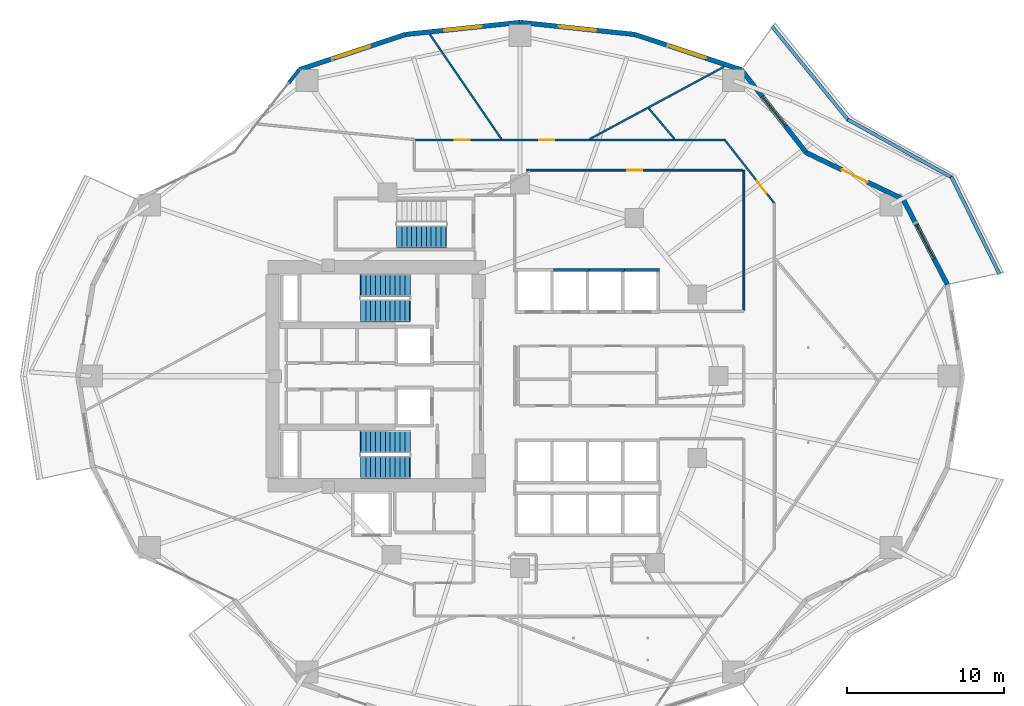
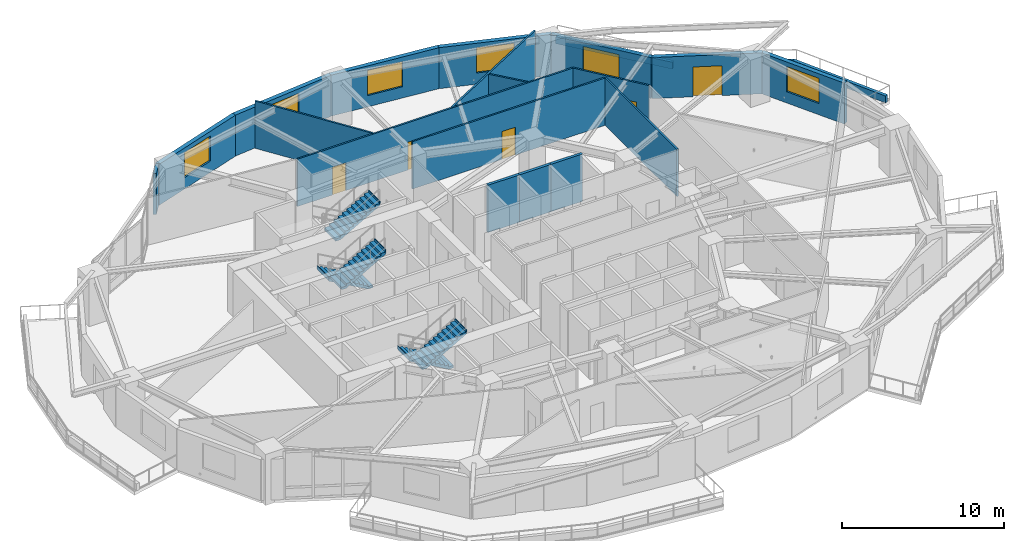
# One storey, part 10 of 19: 21 walls, 6 windows, 5 doors, 5 stair flights, 11 openings, 3 elements without a shape of their own.
"""IFC4 building model written with IfcOpenShell, lengths in metres."""

from ifc_helpers import new_model, si_unit, direction, frame, frame_2d, origin, place, context, subcontext, project, spatial, polyline, rectangle, outline, extrude, material, layer, layer_set, type_object, element, fill, aggregate, save


model = new_model("IFC4")

# Units and contexts
model_context = context("Model", 3, precision=1e-05, world=origin(), true_north=direction((0.0, 1.0)))
body_context = subcontext(model_context, "Body", "Model", "MODEL_VIEW")
ifc_project = project(units=[si_unit("LENGTHUNIT", "METRE"), si_unit("AREAUNIT", "SQUARE_METRE"), si_unit("VOLUMEUNIT", "CUBIC_METRE"), si_unit("PLANEANGLEUNIT", "RADIAN"), si_unit("MASSUNIT", "GRAM", prefix="KILO")], contexts=[model_context])

# Site, building, storey
site_placement = place(None, origin())
site = spatial("IfcSite", under=ifc_project, at=site_placement, CompositionType="ELEMENT")
building_placement = place(site_placement, origin())
building = spatial("IfcBuilding", under=site, at=building_placement, Name="Kolvaren Gate Tower and Convention Centre", CompositionType="ELEMENT")
storey_placement = place(building_placement, frame((0.0, 0.0, 38.050048828125)))
storey = spatial("IfcBuildingStorey", under=building, at=storey_placement, Name="L08", CompositionType="ELEMENT", Elevation=38.050048828125)

# Wall
ifc_material_1 = material(Name="Fire-Rated Acoustic Gypsum Stud Partition", Category="gypsum")
ifc_layer_1 = layer(ifc_material_1, 0.1201171875)
ifc_layer_set_1 = layer_set([ifc_layer_1], Name="Fire-Rated Acoustic Gypsum Stud Partition")
wall_type_1 = type_object("IfcWallType", Name="ARCH-WL-PART-120", PredefinedType="PARTITIONING", material=ifc_layer_set_1)
wall_1_placement = place(storey_placement, frame((44.35009765625, 31.181884765625, 0.0), z_axis=(0.0, 0.0, 1.0), x_axis=(0.0, 1.0, 0.0)))
element("IfcWall", 1, at=wall_1_placement, inside=storey, type_object=wall_type_1, Name="Interior Partition WL-L08-INT-028", PredefinedType="PARTITIONING", context=body_context, shape_type="SweptSolid", body=[
    extrude(rectangle(XDim=8.918212890625, YDim=0.1201171875, at=frame_2d((4.458984375, 0.0))), origin(), (0.0, 0.0, 1.0), 3.570068359375),
])

# Wall, opening, door
wall_2_placement = place(storey_placement, frame((30.556884765625, 40.10009765625, 0.0), z_axis=(0.0, 0.0, 1.0), x_axis=(1.0, 0.0, 0.0)))
wall_2 = element("IfcWall", 2, at=wall_2_placement, inside=storey, type_object=wall_type_1, Name="Interior Partition WL-L08-INT-030", PredefinedType="PARTITIONING", context=body_context, shape_type="SweptSolid", body=[
    extrude(rectangle(XDim=13.731201171875, YDim=0.1201171875, at=frame_2d((6.86572265625, 0.0))), origin(), (0.0, 0.0, 1.0), 3.570068359375),
])
opening_1_placement = place(wall_2_placement, frame((6.390380859375, 0.0, 0.0)))
opening_1 = element("IfcOpeningElement", 3, at=opening_1_placement, cuts=wall_2, Name="Opening DR-01", PredefinedType="OPENING", context=body_context, shape_type="SweptSolid", body=[
    extrude(rectangle(XDim=0.949951171875, YDim=2.10009765625, at=frame_2d((0.47509765625, 1.050048828125))), frame((0.0, 0.070068359375, 0.0), z_axis=(0.0, -1.0, 0.0), x_axis=(1.0, 0.0, 0.0)), (0.0, 0.0, 1.0), 0.14013671875),
])
ifc_material_2 = material(Name="Painted Architectural Steelwork ASTM A500 Grade C 345 MPa", Category="steel")
door_type_1 = type_object("IfcDoorType", Name="ARCH-DR-RISER-950", OperationType="SINGLE_SWING_RIGHT", PredefinedType="DOOR", material=ifc_material_2)
door_1_placement = place(opening_1_placement, origin())
door_1 = element("IfcDoor", 4, at=door_1_placement, inside=storey, type_object=door_type_1, Name="Conference and Training Seminar Room Door", OperationType="SINGLE_SWING_RIGHT", OverallHeight=2.10009765625, OverallWidth=0.949951171875, PredefinedType="DOOR", context=body_context, shape_type="SweptSolid", body=[
    extrude(rectangle(XDim=0.949951171875, YDim=2.10009765625, at=frame_2d((0.47509765625, 1.050048828125))), frame((0.0, 0.02490234375, 0.0), z_axis=(0.0, -1.0, 0.0), x_axis=(1.0, 0.0, 0.0)), (0.0, 0.0, 1.0), 0.050048828125),
])
fill(opening_1, door_1)

# Wall, openings, doors
wall_3_placement = place(storey_placement, frame((23.4619140625, 42.02001953125, 0.0), z_axis=(0.0, 0.0, 1.0), x_axis=(1.0, 0.0, 0.0)))
wall_3 = element("IfcWall", 5, at=wall_3_placement, inside=storey, type_object=wall_type_1, Name="Interior Partition WL-L08-INT-033", PredefinedType="PARTITIONING", context=body_context, shape_type="SweptSolid", body=[
    extrude(rectangle(XDim=19.675048828125, YDim=0.1201171875, at=frame_2d((9.83740234375, 0.0))), origin(), (0.0, 0.0, 1.0), 3.570068359375),
])
opening_2_placement = place(wall_3_placement, frame((7.877197265625, 0.0, 0.0)))
opening_2 = element("IfcOpeningElement", 6, at=opening_2_placement, cuts=wall_3, Name="Opening DR-01", PredefinedType="OPENING", context=body_context, shape_type="SweptSolid", body=[
    extrude(rectangle(XDim=0.949951171875, YDim=2.10009765625, at=frame_2d((0.47509765625, 1.050048828125))), frame((0.0, 0.070068359375, 0.0), z_axis=(0.0, -1.0, 0.0), x_axis=(1.0, 0.0, 0.0)), (0.0, 0.0, 1.0), 0.14013671875),
])
opening_3_placement = place(wall_3_placement, frame((2.511474609375, 0.0, 0.0)))
opening_3 = element("IfcOpeningElement", 7, at=opening_3_placement, cuts=wall_3, Name="Opening DR-01", PredefinedType="OPENING", context=body_context, shape_type="SweptSolid", body=[
    extrude(rectangle(XDim=0.949951171875, YDim=2.10009765625, at=frame_2d((0.47509765625, 1.050048828125))), frame((0.0, 0.070068359375, 0.0), z_axis=(0.0, -1.0, 0.0), x_axis=(1.0, 0.0, 0.0)), (0.0, 0.0, 1.0), 0.14013671875),
])
door_2_placement = place(opening_2_placement, origin())
door_2 = element("IfcDoor", 8, at=door_2_placement, inside=storey, type_object=door_type_1, Name="Project Seminar Room Door", OperationType="SINGLE_SWING_LEFT", OverallHeight=2.10009765625, OverallWidth=0.949951171875, PredefinedType="DOOR", context=body_context, shape_type="SweptSolid", body=[
    extrude(rectangle(XDim=0.949951171875, YDim=2.10009765625, at=frame_2d((0.47509765625, 1.050048828125))), frame((0.0, 0.02490234375, 0.0), z_axis=(0.0, -1.0, 0.0), x_axis=(1.0, 0.0, 0.0)), (0.0, 0.0, 1.0), 0.050048828125),
])
fill(opening_2, door_2)
door_3_placement = place(opening_3_placement, origin())
door_3 = element("IfcDoor", 9, at=door_3_placement, inside=storey, type_object=door_type_1, Name="Executive Seminar Conference Room Door", OperationType="SINGLE_SWING_RIGHT", OverallHeight=2.10009765625, OverallWidth=0.949951171875, PredefinedType="DOOR", context=body_context, shape_type="SweptSolid", body=[
    extrude(rectangle(XDim=0.949951171875, YDim=2.10009765625, at=frame_2d((0.47509765625, 1.050048828125))), frame((0.0, 0.02490234375, 0.0), z_axis=(0.0, -1.0, 0.0), x_axis=(1.0, 0.0, 0.0)), (0.0, 0.0, 1.0), 0.050048828125),
])
fill(opening_3, door_3)

# Wall, opening, door
wall_4_placement = place(storey_placement, frame((43.136962890625, 42.02001953125, 0.0), z_axis=(0.0, 0.0, 1.0), x_axis=(0.616441660183, -0.787400583941, 0.0)))
wall_4 = element("IfcWall", 10, at=wall_4_placement, inside=storey, type_object=wall_type_1, Name="Interior Partition WL-L08-INT-034", PredefinedType="PARTITIONING", context=body_context, shape_type="SweptSolid", body=[
    extrude(rectangle(XDim=5.08251953125, YDim=0.1201171875, at=frame_2d((2.541259765625, 0.0))), origin(), (0.0, 0.0, 1.0), 3.570068359375),
])
opening_4_placement = place(wall_4_placement, frame((3.326171875, 0.0, 0.0)))
opening_4 = element("IfcOpeningElement", 11, at=opening_4_placement, cuts=wall_4, Name="Opening DR-01", PredefinedType="OPENING", context=body_context, shape_type="SweptSolid", body=[
    extrude(rectangle(XDim=0.949951171875, YDim=2.10009765625, at=frame_2d((0.47509765625, 1.050048828125))), frame((0.0, 0.070068359375, 0.0), z_axis=(0.0, -1.0, 0.0), x_axis=(1.0, 0.0, 0.0)), (0.0, 0.0, 1.0), 0.14013671875),
])
door_4_placement = place(opening_4_placement, origin())
door_4 = element("IfcDoor", 12, at=door_4_placement, inside=storey, type_object=door_type_1, Name="Conference and Training Seminar Room Door", OperationType="SINGLE_SWING_LEFT", OverallHeight=2.10009765625, OverallWidth=0.949951171875, PredefinedType="DOOR", context=body_context, shape_type="SweptSolid", body=[
    extrude(rectangle(XDim=0.949951171875, YDim=2.10009765625, at=frame_2d((0.47509765625, 1.050048828125))), frame((0.0, 0.02490234375, 0.0), z_axis=(0.0, -1.0, 0.0), x_axis=(1.0, 0.0, 0.0)), (0.0, 0.0, 1.0), 0.050048828125),
])
fill(opening_4, door_4)

# Walls
wall_5_placement = place(storey_placement, frame((34.556884765625, 42.08203125, 0.0), z_axis=(0.0, 0.0, 1.0), x_axis=(0.880504205361, 0.474038336362, 0.0)))
element("IfcWall", 13, at=wall_5_placement, inside=storey, type_object=wall_type_1, Name="Interior Partition WL-L08-INT-053", PredefinedType="PARTITIONING", context=body_context, shape_type="SweptSolid", body=[
    extrude(rectangle(XDim=9.708251953125, YDim=0.1201171875, at=frame_2d((4.85400390625, 0.0))), origin(), (0.0, 0.0, 1.0), 3.570068359375),
])
wall_6_placement = place(storey_placement, frame((38.30224609375, 44.028076171875, 0.0), z_axis=(0.0, 0.0, 1.0), x_axis=(0.644336623354, -0.764741992965, 0.0)))
element("IfcWall", 14, at=wall_6_placement, inside=storey, type_object=wall_type_1, Name="Interior Partition WL-L08-INT-060", PredefinedType="PARTITIONING", context=body_context, shape_type="SweptSolid", body=[
    extrude(rectangle(XDim=2.544677734375, YDim=0.1201171875, at=frame_2d((1.2724609375, 0.0))), origin(), (0.0, 0.0, 1.0), 3.570068359375),
])
wall_7_placement = place(storey_placement, frame((24.376953125, 48.74169921875, 0.0), z_axis=(0.0, 0.0, 1.0), x_axis=(0.56452118845, -0.825418577323, 0.0)))
element("IfcWall", 15, at=wall_7_placement, inside=storey, type_object=wall_type_1, Name="Interior Partition WL-L08-INT-063", PredefinedType="PARTITIONING", context=body_context, shape_type="SweptSolid", body=[
    extrude(rectangle(XDim=8.068115234375, YDim=0.1201171875, at=frame_2d((4.0341796875, 0.0))), origin(), (0.0, 0.0, 1.0), 3.570068359375),
])
ifc_material_3 = material(Name="Bogota Sabana Bush-Hammered Sandstone Cladding", Category="masonry")
ifc_layer_2 = layer(ifc_material_3, 0.219970703125)
ifc_layer_set_2 = layer_set([ifc_layer_2], Name="Bogota Sabana Bush-Hammered Sandstone Cladding")
wall_type_2 = type_object("IfcWallType", Name="ARCH-WL-PIER-220", PredefinedType="SOLIDWALL", material=ifc_layer_set_2)
wall_8_placement = place(storey_placement, frame((15.39892578125, 45.63818359375, 0.0), z_axis=(0.0, 0.0, 1.0), x_axis=(0.616528421162, 0.787332652632, 0.0)))
element("IfcWall", 16, at=wall_8_placement, inside=storey, type_object=wall_type_2, Name="Tower L08 Unitised Curtain Wall CW-OFF-UNIT Bay 08 Right Column Pier Wrap", PredefinedType="SOLIDWALL", context=body_context, shape_type="SweptSolid", body=[
    extrude(rectangle(XDim=1.076416015625, YDim=0.219970703125, at=frame_2d((0.5380859375, 0.0))), origin(), (0.0, 0.0, 1.0), 3.093017578125),
])
ifc_material_4 = material(Name="Piedmont Cream Honed Limestone Cladding", Category="masonry")
ifc_layer_3 = layer(ifc_material_4, 0.219970703125)
ifc_layer_set_3 = layer_set([ifc_layer_3], Name="Piedmont Cream Honed Limestone Cladding")
wall_type_3 = type_object("IfcWallType", Name="ARCH-WL-PLANTER-220", PredefinedType="PARAPET", material=ifc_layer_set_3)
wall_9_placement = place(storey_placement, frame((57.538818359375, 39.696533203125, 0.0), z_axis=(0.0, 0.0, 1.0), x_axis=(0.443578479433, -0.8962355341, 0.0)))
element("IfcWall", 17, at=wall_9_placement, inside=storey, type_object=wall_type_3, Name="Vertical-Forest Balcony Stone Planter Kerb PK-L08-1.1", PredefinedType="PARAPET", context=body_context, shape_type="SweptSolid", body=[
    extrude(rectangle(XDim=6.9111328125, YDim=0.219970703125, at=frame_2d((3.45556640625, 0.0))), origin(), (0.0, 0.0, 1.0), 0.52001953125),
])
wall_10_placement = place(storey_placement, frame((50.959228515625, 43.322021484375, 0.0), z_axis=(0.0, 0.0, 1.0), x_axis=(0.873500119739, -0.48682393205, 0.0)))
element("IfcWall", 18, at=wall_10_placement, inside=storey, type_object=wall_type_3, Name="Vertical-Forest Balcony Stone Planter Kerb PK-L08-1.2", PredefinedType="PARAPET", context=body_context, shape_type="SweptSolid", body=[
    extrude(rectangle(XDim=7.56201171875, YDim=0.219970703125, at=frame_2d((3.781005859375, 0.0))), origin(), (0.0, 0.0, 1.0), 0.52001953125),
])
wall_11_placement = place(storey_placement, frame((46.1357421875, 49.251220703125, 0.0), z_axis=(0.0, 0.0, 1.0), x_axis=(0.630997450658, -0.775784903993, 0.0)))
element("IfcWall", 19, at=wall_11_placement, inside=storey, type_object=wall_type_3, Name="Vertical-Forest Balcony Stone Planter Kerb PK-L08-1.3", PredefinedType="PARAPET", context=body_context, shape_type="SweptSolid", body=[
    extrude(rectangle(XDim=7.7177734375, YDim=0.219970703125, at=frame_2d((3.85888671875, 0.0))), origin(), (0.0, 0.0, 1.0), 0.52001953125),
])
ifc_material_5 = material(Name="Autoclaved Aerated Masonry Blockwork Class 4 (4.0 MPa)", Category="masonry")
ifc_layer_4 = layer(ifc_material_5, 0.199951171875)
ifc_layer_set_4 = layer_set([ifc_layer_4], Name="Autoclaved Aerated Masonry Blockwork Class 4 (4.0 MPa)")
wall_type_4 = type_object("IfcWallType", Name="ARCH-WL-SHAFT-200", PredefinedType="SOLIDWALL", material=ifc_layer_set_4)
for number, where, z_axis, x_axis, name in (
    (20, (32.25, 33.75, 0.0), (0.0, 0.0, 1.0), (1.0, 0.0, 0.0), "Elevator PL-02 L08 Fire Shaft Wall N"),
    (21, (34.5, 33.75, 0.0), (0.0, 0.0, 1.0), (1.0, 0.0, 0.0), "Elevator PL-03 L08 Fire Shaft Wall N"),
    (22, (36.75, 33.75, 0.0), (0.0, 0.0, 1.0), (1.0, 0.0, 0.0), "Elevator PL-04 L08 Fire Shaft Wall N"),
):
    element("IfcWall", number, at=place(storey_placement, frame(where, z_axis=z_axis, x_axis=x_axis)), inside=storey, type_object=wall_type_4, Name=name, PredefinedType="SOLIDWALL", context=body_context, shape_type="SweptSolid", body=[
        extrude(rectangle(XDim=2.25, YDim=0.199951171875, at=frame_2d((1.125, 0.0))), origin(), (0.0, 0.0, 1.0), 3.570068359375),
    ])

# Wall, opening, window
ifc_layer_5 = layer(ifc_material_4, 0.300048828125)
ifc_layer_set_5 = layer_set([ifc_layer_5], Name="Piedmont Cream Honed Limestone Cladding")
wall_type_5 = type_object("IfcWallType", Name="ARCH-WL-STONE-300", PredefinedType="SOLIDWALL", material=ifc_layer_set_5)
wall_12_placement = place(storey_placement, frame((54.48193359375, 38.25, 0.0), z_axis=(0.0, 0.0, 1.0), x_axis=(0.459809804413, -0.88801742312, 0.0)))
wall_12 = element("IfcWall", 23, at=wall_12_placement, inside=storey, type_object=wall_type_5, Name="Tower L08 Honed Stone Spandrel Wall EW-01", PredefinedType="SOLIDWALL", context=body_context, shape_type="SweptSolid", body=[
    extrude(rectangle(XDim=6.11083984375, YDim=0.300048828125, at=frame_2d((3.055419921875, 0.0))), origin(), (0.0, 0.0, 1.0), 3.093017578125),
])
opening_5_placement = place(wall_12_placement, frame((1.85498046875, 0.0, 0.85009765625)))
opening_5 = element("IfcOpeningElement", 24, at=opening_5_placement, cuts=wall_12, Name="Opening W-01", PredefinedType="OPENING", context=body_context, shape_type="SweptSolid", body=[
    extrude(rectangle(XDim=2.39990234375, YDim=1.89990234375, at=frame_2d((1.199951171875, 0.949951171875))), frame((0.0, 0.159912109375, 0.0), z_axis=(0.0, -1.0, 0.0), x_axis=(1.0, 0.0, 0.0)), (0.0, 0.0, 1.0), 0.320068359375),
])
ifc_material_6 = material(Name="Low-E Triple Insulated Glazing Unit 44 mm", Category="glass")
window_type = type_object("IfcWindowType", Name="ARCH-WN-OFF-2400", PartitioningType="SINGLE_PANEL", PredefinedType="WINDOW", material=ifc_material_6)
window_1_placement = place(opening_5_placement, origin())
window_1 = element("IfcWindow", 25, at=window_1_placement, inside=storey, type_object=window_type, Name="Tower L08 Punched Stone Facade Window W-01", OverallHeight=1.89990234375, OverallWidth=2.39990234375, PartitioningType="SINGLE_PANEL", PredefinedType="WINDOW", context=body_context, shape_type="SweptSolid", body=[
    extrude(rectangle(XDim=2.39990234375, YDim=1.89990234375, at=frame_2d((1.199951171875, 0.949951171875))), frame((0.0, 0.030029296875, 0.0), z_axis=(0.0, -1.0, 0.0), x_axis=(1.0, 0.0, 0.0)), (0.0, 0.0, 1.0), 0.06005859375),
])
fill(opening_5, window_1)

# Wall, opening, door
wall_13_placement = place(storey_placement, frame((48.315185546875, 41.212890625, 0.0), z_axis=(0.0, 0.0, 1.0), x_axis=(0.901360393999, -0.433069786673, 0.0)))
wall_13 = element("IfcWall", 26, at=wall_13_placement, inside=storey, type_object=wall_type_5, Name="Tower L08 Honed Stone Spandrel Wall EW-02", PredefinedType="SOLIDWALL", context=body_context, shape_type="SweptSolid", body=[
    extrude(rectangle(XDim=6.841552734375, YDim=0.300048828125, at=frame_2d((3.4208984375, 0.0))), origin(), (0.0, 0.0, 1.0), 3.093017578125),
])
opening_6_placement = place(wall_13_placement, frame((2.52099609375, 0.0, 0.0)))
opening_6 = element("IfcOpeningElement", 27, at=opening_6_placement, cuts=wall_13, Name="Opening DB-01", PredefinedType="OPENING", context=body_context, shape_type="SweptSolid", body=[
    extrude(rectangle(XDim=1.800048828125, YDim=2.25, at=frame_2d((0.89990234375, 1.125))), frame((0.0, 0.159912109375, 0.0), z_axis=(0.0, -1.0, 0.0), x_axis=(1.0, 0.0, 0.0)), (0.0, 0.0, 1.0), 0.320068359375),
])
ifc_material_7 = material(Name="Anodized Architectural Aluminium Alloy 6063-T6", Category="aluminium")
door_type_2 = type_object("IfcDoorType", Name="ARCH-DR-BALC-1800", OperationType="SLIDING_TO_LEFT", PredefinedType="DOOR", material=ifc_material_7)
door_5_placement = place(opening_6_placement, origin())
door_5 = element("IfcDoor", 28, at=door_5_placement, inside=storey, type_object=door_type_2, Name="Planted Sky Terrace Access Door DB-L08-02", OperationType="SLIDING_TO_LEFT", OverallHeight=2.25, OverallWidth=1.800048828125, PredefinedType="DOOR", context=body_context, shape_type="SweptSolid", body=[
    extrude(rectangle(XDim=1.800048828125, YDim=2.25, at=frame_2d((0.89990234375, 1.125))), frame((0.0, 0.02490234375, 0.0), z_axis=(0.0, -1.0, 0.0), x_axis=(1.0, 0.0, 0.0)), (0.0, 0.0, 1.0), 0.050048828125),
])
fill(opening_6, door_5)

# Wall, opening, window
wall_14_placement = place(storey_placement, frame((44.1875, 46.485595703125, 0.0), z_axis=(0.0, 0.0, 1.0), x_axis=(0.616421309777, -0.787416515482, 0.0)))
wall_14 = element("IfcWall", 29, at=wall_14_placement, inside=storey, type_object=wall_type_5, Name="Tower L08 Honed Stone Spandrel Wall EW-03", PredefinedType="SOLIDWALL", context=body_context, shape_type="SweptSolid", body=[
    extrude(rectangle(XDim=6.6962890625, YDim=0.300048828125, at=frame_2d((3.34814453125, 0.0))), origin(), (0.0, 0.0, 1.0), 3.093017578125),
])
opening_7_placement = place(wall_14_placement, frame((2.14794921875, 0.0, 0.85009765625)))
opening_7 = element("IfcOpeningElement", 30, at=opening_7_placement, cuts=wall_14, Name="Opening W-01", PredefinedType="OPENING", context=body_context, shape_type="SweptSolid", body=[
    extrude(rectangle(XDim=2.39990234375, YDim=1.89990234375, at=frame_2d((1.199951171875, 0.949951171875))), frame((0.0, 0.159912109375, 0.0), z_axis=(0.0, -1.0, 0.0), x_axis=(1.0, 0.0, 0.0)), (0.0, 0.0, 1.0), 0.320068359375),
])
window_2_placement = place(opening_7_placement, origin())
window_2 = element("IfcWindow", 31, at=window_2_placement, inside=storey, type_object=window_type, Name="Tower L08 Punched Stone Facade Window W-03", OverallHeight=1.89990234375, OverallWidth=2.39990234375, PartitioningType="SINGLE_PANEL", PredefinedType="WINDOW", context=body_context, shape_type="SweptSolid", body=[
    extrude(rectangle(XDim=2.39990234375, YDim=1.89990234375, at=frame_2d((1.199951171875, 0.949951171875))), frame((0.0, 0.030029296875, 0.0), z_axis=(0.0, -1.0, 0.0), x_axis=(1.0, 0.0, 0.0)), (0.0, 0.0, 1.0), 0.06005859375),
])
fill(opening_7, window_2)

wall_15_placement = place(storey_placement, frame((37.404296875, 48.7333984375, 0.0), z_axis=(0.0, 0.0, 1.0), x_axis=(0.949238715533, -0.31455661006, 0.0)))
wall_15 = element("IfcWall", 32, at=wall_15_placement, inside=storey, type_object=wall_type_5, Name="Tower L08 Honed Stone Spandrel Wall EW-04", PredefinedType="SOLIDWALL", context=body_context, shape_type="SweptSolid", body=[
    extrude(rectangle(XDim=7.14599609375, YDim=0.300048828125, at=frame_2d((3.572998046875, 0.0))), origin(), (0.0, 0.0, 1.0), 3.093017578125),
])
opening_8_placement = place(wall_15_placement, frame((2.373046875, 0.0, 0.85009765625)))
opening_8 = element("IfcOpeningElement", 33, at=opening_8_placement, cuts=wall_15, Name="Opening W-01", PredefinedType="OPENING", context=body_context, shape_type="SweptSolid", body=[
    extrude(rectangle(XDim=2.39990234375, YDim=1.89990234375, at=frame_2d((1.199951171875, 0.949951171875))), frame((0.0, 0.159912109375, 0.0), z_axis=(0.0, -1.0, 0.0), x_axis=(1.0, 0.0, 0.0)), (0.0, 0.0, 1.0), 0.320068359375),
])
window_3_placement = place(opening_8_placement, origin())
window_3 = element("IfcWindow", 34, at=window_3_placement, inside=storey, type_object=window_type, Name="Tower L08 Punched Stone Facade Window W-04", OverallHeight=1.89990234375, OverallWidth=2.39990234375, PartitioningType="SINGLE_PANEL", PredefinedType="WINDOW", context=body_context, shape_type="SweptSolid", body=[
    extrude(rectangle(XDim=2.39990234375, YDim=1.89990234375, at=frame_2d((1.199951171875, 0.949951171875))), frame((0.0, 0.030029296875, 0.0), z_axis=(0.0, -1.0, 0.0), x_axis=(1.0, 0.0, 0.0)), (0.0, 0.0, 1.0), 0.06005859375),
])
fill(opening_8, window_3)

wall_16_placement = place(storey_placement, frame((30.125, 49.5, 0.0), z_axis=(0.0, 0.0, 1.0), x_axis=(0.994500334317, -0.104733399844, 0.0)))
wall_16 = element("IfcWall", 35, at=wall_16_placement, inside=storey, type_object=wall_type_5, Name="Tower L08 Honed Stone Spandrel Wall EW-05", PredefinedType="SOLIDWALL", context=body_context, shape_type="SweptSolid", body=[
    extrude(rectangle(XDim=7.319580078125, YDim=0.300048828125, at=frame_2d((3.65966796875, 0.0))), origin(), (0.0, 0.0, 1.0), 3.093017578125),
])
opening_9_placement = place(wall_16_placement, frame((2.4599609375, 0.0, 0.85009765625)))
opening_9 = element("IfcOpeningElement", 36, at=opening_9_placement, cuts=wall_16, Name="Opening W-01", PredefinedType="OPENING", context=body_context, shape_type="SweptSolid", body=[
    extrude(rectangle(XDim=2.39990234375, YDim=1.89990234375, at=frame_2d((1.199951171875, 0.949951171875))), frame((0.0, 0.159912109375, 0.0), z_axis=(0.0, -1.0, 0.0), x_axis=(1.0, 0.0, 0.0)), (0.0, 0.0, 1.0), 0.320068359375),
])
window_4_placement = place(opening_9_placement, origin())
window_4 = element("IfcWindow", 37, at=window_4_placement, inside=storey, type_object=window_type, Name="Tower L08 Punched Stone Facade Window W-05", OverallHeight=1.89990234375, OverallWidth=2.39990234375, PartitioningType="SINGLE_PANEL", PredefinedType="WINDOW", context=body_context, shape_type="SweptSolid", body=[
    extrude(rectangle(XDim=2.39990234375, YDim=1.89990234375, at=frame_2d((1.199951171875, 0.949951171875))), frame((0.0, 0.030029296875, 0.0), z_axis=(0.0, -1.0, 0.0), x_axis=(1.0, 0.0, 0.0)), (0.0, 0.0, 1.0), 0.06005859375),
])
fill(opening_9, window_4)

wall_17_placement = place(storey_placement, frame((22.845703125, 48.7333984375, 0.0), z_axis=(0.0, 0.0, 1.0), x_axis=(0.994500334317, 0.104733399844, 0.0)))
wall_17 = element("IfcWall", 38, at=wall_17_placement, inside=storey, type_object=wall_type_5, Name="Tower L08 Honed Stone Spandrel Wall EW-06", PredefinedType="SOLIDWALL", context=body_context, shape_type="SweptSolid", body=[
    extrude(rectangle(XDim=7.319580078125, YDim=0.300048828125, at=frame_2d((3.65966796875, 0.0))), origin(), (0.0, 0.0, 1.0), 3.093017578125),
])
opening_10_placement = place(wall_17_placement, frame((2.4599609375, 0.0, 0.85009765625)))
opening_10 = element("IfcOpeningElement", 39, at=opening_10_placement, cuts=wall_17, Name="Opening W-01", PredefinedType="OPENING", context=body_context, shape_type="SweptSolid", body=[
    extrude(rectangle(XDim=2.39990234375, YDim=1.89990234375, at=frame_2d((1.199951171875, 0.949951171875))), frame((0.0, 0.159912109375, 0.0), z_axis=(0.0, -1.0, 0.0), x_axis=(1.0, 0.0, 0.0)), (0.0, 0.0, 1.0), 0.320068359375),
])
window_5_placement = place(opening_10_placement, origin())
window_5 = element("IfcWindow", 40, at=window_5_placement, inside=storey, type_object=window_type, Name="Tower L08 Punched Stone Facade Window W-06", OverallHeight=1.89990234375, OverallWidth=2.39990234375, PartitioningType="SINGLE_PANEL", PredefinedType="WINDOW", context=body_context, shape_type="SweptSolid", body=[
    extrude(rectangle(XDim=2.39990234375, YDim=1.89990234375, at=frame_2d((1.199951171875, 0.949951171875))), frame((0.0, 0.030029296875, 0.0), z_axis=(0.0, -1.0, 0.0), x_axis=(1.0, 0.0, 0.0)), (0.0, 0.0, 1.0), 0.06005859375),
])
fill(opening_10, window_5)

wall_18_placement = place(storey_placement, frame((16.0625, 46.485595703125, 0.0), z_axis=(0.0, 0.0, 1.0), x_axis=(0.949238715533, 0.31455661006, 0.0)))
wall_18 = element("IfcWall", 41, at=wall_18_placement, inside=storey, type_object=wall_type_5, Name="Tower L08 Honed Stone Spandrel Wall EW-07", PredefinedType="SOLIDWALL", context=body_context, shape_type="SweptSolid", body=[
    extrude(rectangle(XDim=7.14599609375, YDim=0.300048828125, at=frame_2d((3.572998046875, 0.0))), origin(), (0.0, 0.0, 1.0), 3.093017578125),
])
opening_11_placement = place(wall_18_placement, frame((2.373046875, 0.0, 0.85009765625)))
opening_11 = element("IfcOpeningElement", 42, at=opening_11_placement, cuts=wall_18, Name="Opening W-01", PredefinedType="OPENING", context=body_context, shape_type="SweptSolid", body=[
    extrude(rectangle(XDim=2.39990234375, YDim=1.89990234375, at=frame_2d((1.199951171875, 0.949951171875))), frame((0.0, 0.159912109375, 0.0), z_axis=(0.0, -1.0, 0.0), x_axis=(1.0, 0.0, 0.0)), (0.0, 0.0, 1.0), 0.320068359375),
])
window_6_placement = place(opening_11_placement, origin())
window_6 = element("IfcWindow", 43, at=window_6_placement, inside=storey, type_object=window_type, Name="Tower L08 Punched Stone Facade Window W-07", OverallHeight=1.89990234375, OverallWidth=2.39990234375, PartitioningType="SINGLE_PANEL", PredefinedType="WINDOW", context=body_context, shape_type="SweptSolid", body=[
    extrude(rectangle(XDim=2.39990234375, YDim=1.89990234375, at=frame_2d((1.199951171875, 0.949951171875))), frame((0.0, 0.030029296875, 0.0), z_axis=(0.0, -1.0, 0.0), x_axis=(1.0, 0.0, 0.0)), (0.0, 0.0, 1.0), 0.06005859375),
])
fill(opening_11, window_6)

# Stair, stair flights
ifc_material_8 = material(Name="Concrete C50/60", Category="concrete")
stair_type = type_object("IfcStairType", Name="STR-STAIR-CORE", PredefinedType="HALF_TURN_STAIR", material=ifc_material_8)
stair_1_placement = place(storey_placement, origin())
stair_1 = element("IfcStair", 44, at=stair_1_placement, inside=storey, type_object=stair_type, Name="L08 Tower North Exit Stair ST-T1", PredefinedType="HALF_TURN_STAIR")
stair_flight_type = type_object("IfcStairFlightType", Name="STR-SFL-1420", PredefinedType="STRAIGHT", material=ifc_material_8)
stair_flight_1_placement = place(storey_placement, frame((23.10009765625, 32.7900390625, 0.0), z_axis=(0.0, 0.0, 1.0), x_axis=(-1.0, 0.0, 0.0)))
stair_flight_1 = element("IfcStairFlight", 45, at=stair_flight_1_placement, type_object=stair_flight_type, Name="ST-T1 flight 1", NumberOfRisers=11, NumberOfTreads=10, PredefinedType="STRAIGHT", RiserHeight=0.175, TreadLength=0.31, context=body_context, shape_type="SweptSolid", body=[
    extrude(outline(polyline([(-0.034912109375, 0.0), (-0.034912109375, 0.175048828125), (0.31005859375, 0.175048828125), (0.31005859375, 0.35009765625), (0.6201171875, 0.35009765625), (0.6201171875, 0.52490234375), (0.929931640625, 0.52490234375), (0.929931640625, 0.699951171875), (1.239990234375, 0.699951171875), (1.239990234375, 0.875), (1.550048828125, 0.875), (1.550048828125, 1.050048828125), (1.860107421875, 1.050048828125), (1.860107421875, 1.22509765625), (2.169921875, 1.22509765625), (2.169921875, 1.39990234375), (2.47998046875, 1.39990234375), (2.47998046875, 1.574951171875), (2.7900390625, 1.574951171875), (2.7900390625, 1.75), (3.10009765625, 1.75), (3.10009765625, 1.925048828125), (3.14501953125, 1.925048828125), (3.14501953125, 1.764892578125), (3.10009765625, 1.577880859375), (0.304931640625, 0.0), (-0.034912109375, 0.0)])), frame((0.0, 0.7099609375, 0.0), z_axis=(0.0, -1.0, 0.0), x_axis=(1.0, 0.0, 0.0)), (0.0, 0.0, 1.0), 1.419921875),
])
stair_flight_2_placement = place(storey_placement, frame((20.0, 31.169921875, 1.925048828125), z_axis=(0.0, 0.0, 1.0), x_axis=(1.0, 0.0, 0.0)))
stair_flight_2 = element("IfcStairFlight", 46, at=stair_flight_2_placement, type_object=stair_flight_type, Name="ST-T1 flight 2", NumberOfRisers=11, NumberOfTreads=10, PredefinedType="STRAIGHT", RiserHeight=0.175, TreadLength=0.31, context=body_context, shape_type="SweptSolid", body=[
    extrude(outline(polyline([(-0.034912109375, 0.0), (-0.034912109375, 0.175048828125), (0.31005859375, 0.175048828125), (0.31005859375, 0.35009765625), (0.6201171875, 0.35009765625), (0.6201171875, 0.52490234375), (0.929931640625, 0.52490234375), (0.929931640625, 0.699951171875), (1.239990234375, 0.699951171875), (1.239990234375, 0.875), (1.550048828125, 0.875), (1.550048828125, 1.050048828125), (1.860107421875, 1.050048828125), (1.860107421875, 1.22509765625), (2.169921875, 1.22509765625), (2.169921875, 1.39990234375), (2.47998046875, 1.39990234375), (2.47998046875, 1.574951171875), (2.7900390625, 1.574951171875), (2.7900390625, 1.75), (3.10009765625, 1.75), (3.10009765625, 1.925048828125), (3.14501953125, 1.925048828125), (3.14501953125, 1.764892578125), (3.10009765625, 1.577880859375), (0.304931640625, 0.0), (-0.034912109375, 0.0)])), frame((0.0, 0.7099609375, 0.0), z_axis=(0.0, -1.0, 0.0), x_axis=(1.0, 0.0, 0.0)), (0.0, 0.0, 1.0), 1.419921875),
])
aggregate(stair_1, [stair_flight_1, stair_flight_2])

stair_2_placement = place(storey_placement, origin())
stair_2 = element("IfcStair", 47, at=stair_2_placement, inside=storey, type_object=stair_type, Name="L08 Tower South Exit Stair ST-T2", PredefinedType="HALF_TURN_STAIR")
stair_flight_3_placement = place(storey_placement, frame((23.10009765625, 22.830078125, 0.0), z_axis=(0.0, 0.0, 1.0), x_axis=(-1.0, 0.0, 0.0)))
stair_flight_3 = element("IfcStairFlight", 48, at=stair_flight_3_placement, type_object=stair_flight_type, Name="ST-T2 flight 1", NumberOfRisers=11, NumberOfTreads=10, PredefinedType="STRAIGHT", RiserHeight=0.175, TreadLength=0.31, context=body_context, shape_type="SweptSolid", body=[
    extrude(outline(polyline([(-0.034912109375, 0.0), (-0.034912109375, 0.175048828125), (0.31005859375, 0.175048828125), (0.31005859375, 0.35009765625), (0.6201171875, 0.35009765625), (0.6201171875, 0.52490234375), (0.929931640625, 0.52490234375), (0.929931640625, 0.699951171875), (1.239990234375, 0.699951171875), (1.239990234375, 0.875), (1.550048828125, 0.875), (1.550048828125, 1.050048828125), (1.860107421875, 1.050048828125), (1.860107421875, 1.22509765625), (2.169921875, 1.22509765625), (2.169921875, 1.39990234375), (2.47998046875, 1.39990234375), (2.47998046875, 1.574951171875), (2.7900390625, 1.574951171875), (2.7900390625, 1.75), (3.10009765625, 1.75), (3.10009765625, 1.925048828125), (3.14501953125, 1.925048828125), (3.14501953125, 1.764892578125), (3.10009765625, 1.577880859375), (0.304931640625, 0.0), (-0.034912109375, 0.0)])), frame((0.0, 0.7099609375, 0.0), z_axis=(0.0, -1.0, 0.0), x_axis=(1.0, 0.0, 0.0)), (0.0, 0.0, 1.0), 1.419921875),
])
stair_flight_4_placement = place(storey_placement, frame((20.0, 21.2099609375, 1.925048828125), z_axis=(0.0, 0.0, 1.0), x_axis=(1.0, 0.0, 0.0)))
stair_flight_4 = element("IfcStairFlight", 49, at=stair_flight_4_placement, type_object=stair_flight_type, Name="ST-T2 flight 2", NumberOfRisers=11, NumberOfTreads=10, PredefinedType="STRAIGHT", RiserHeight=0.175, TreadLength=0.31, context=body_context, shape_type="SweptSolid", body=[
    extrude(outline(polyline([(-0.034912109375, 0.0), (-0.034912109375, 0.175048828125), (0.31005859375, 0.175048828125), (0.31005859375, 0.35009765625), (0.6201171875, 0.35009765625), (0.6201171875, 0.52490234375), (0.929931640625, 0.52490234375), (0.929931640625, 0.699951171875), (1.239990234375, 0.699951171875), (1.239990234375, 0.875), (1.550048828125, 0.875), (1.550048828125, 1.050048828125), (1.860107421875, 1.050048828125), (1.860107421875, 1.22509765625), (2.169921875, 1.22509765625), (2.169921875, 1.39990234375), (2.47998046875, 1.39990234375), (2.47998046875, 1.574951171875), (2.7900390625, 1.574951171875), (2.7900390625, 1.75), (3.10009765625, 1.75), (3.10009765625, 1.925048828125), (3.14501953125, 1.925048828125), (3.14501953125, 1.764892578125), (3.10009765625, 1.577880859375), (0.304931640625, 0.0), (-0.034912109375, 0.0)])), frame((0.0, 0.7099609375, 0.0), z_axis=(0.0, -1.0, 0.0), x_axis=(1.0, 0.0, 0.0)), (0.0, 0.0, 1.0), 1.419921875),
])
aggregate(stair_2, [stair_flight_3, stair_flight_4])

# Stair, stair flight
stair_3_placement = place(storey_placement, origin())
stair_3 = element("IfcStair", 50, at=stair_3_placement, inside=storey, type_object=stair_type, Name="L08 Tower Mid-Zone Exit Stair ST-T3", PredefinedType="HALF_TURN_STAIR")
stair_flight_5_placement = place(storey_placement, frame((22.300048828125, 35.8701171875, 1.925048828125), z_axis=(0.0, 0.0, 1.0), x_axis=(1.0, 0.0, 0.0)))
stair_flight_5 = element("IfcStairFlight", 51, at=stair_flight_5_placement, type_object=stair_flight_type, Name="ST-T3 flight 2", NumberOfRisers=11, NumberOfTreads=10, PredefinedType="STRAIGHT", RiserHeight=0.175, TreadLength=0.31, context=body_context, shape_type="SweptSolid", body=[
    extrude(outline(polyline([(-0.034912109375, 0.0), (-0.034912109375, 0.175048828125), (0.31005859375, 0.175048828125), (0.31005859375, 0.35009765625), (0.6201171875, 0.35009765625), (0.6201171875, 0.52490234375), (0.929931640625, 0.52490234375), (0.929931640625, 0.699951171875), (1.239990234375, 0.699951171875), (1.239990234375, 0.875), (1.550048828125, 0.875), (1.550048828125, 1.050048828125), (1.860107421875, 1.050048828125), (1.860107421875, 1.22509765625), (2.169921875, 1.22509765625), (2.169921875, 1.39990234375), (2.47998046875, 1.39990234375), (2.47998046875, 1.574951171875), (2.7900390625, 1.574951171875), (2.7900390625, 1.75), (3.10009765625, 1.75), (3.10009765625, 1.925048828125), (3.14501953125, 1.925048828125), (3.14501953125, 1.764892578125), (3.10009765625, 1.577880859375), (0.304931640625, 0.0), (-0.034912109375, 0.0)])), frame((0.0, 0.7099609375, 0.0), z_axis=(0.0, -1.0, 0.0), x_axis=(1.0, 0.0, 0.0)), (0.0, 0.0, 1.0), 1.419921875),
])
aggregate(stair_3, [stair_flight_5])

save(model, "model.ifc")
